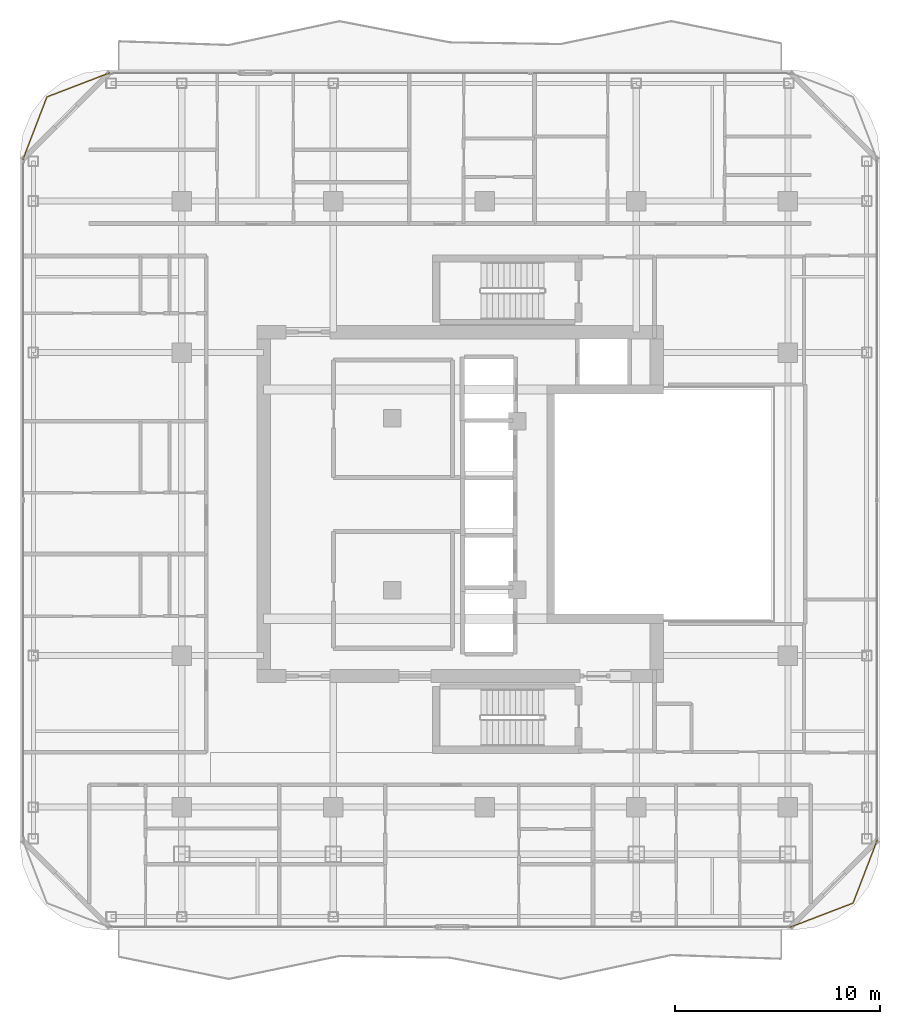
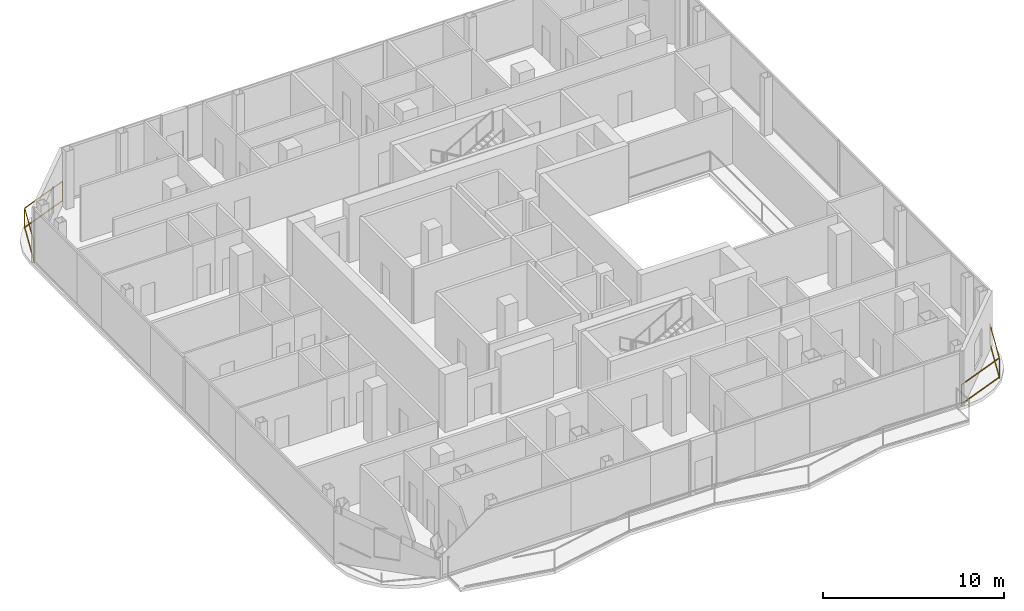
# One storey, part 22 of 23: 2 railings.
"""IFC4 building model written with IfcOpenShell, lengths in metres."""

from ifc_helpers import new_model, si_unit, direction, frame, origin, origin_2d, place, context, subcontext, project, spatial, rectangle, extrude, material, type_object, element, save


model = new_model("IFC4")

# Units and contexts
model_context = context("Model", 3, precision=1e-05, world=origin(), true_north=direction((0.0, 1.0)))
body_context = subcontext(model_context, "Body", "Model", "MODEL_VIEW")
ifc_project = project(units=[si_unit("LENGTHUNIT", "METRE"), si_unit("AREAUNIT", "SQUARE_METRE"), si_unit("VOLUMEUNIT", "CUBIC_METRE"), si_unit("PLANEANGLEUNIT", "RADIAN"), si_unit("MASSUNIT", "GRAM", prefix="KILO")], contexts=[model_context])

# Site, building, storey
site_placement = place(None, origin())
site = spatial("IfcSite", under=ifc_project, at=site_placement, CompositionType="ELEMENT")
building_placement = place(site_placement, origin())
building = spatial("IfcBuilding", under=site, at=building_placement, Name="Khorvyn Point Tower", CompositionType="ELEMENT")
storey_placement = place(building_placement, frame((0.0, 0.0, 297.60009765625)))
storey = spatial("IfcBuildingStorey", under=building, at=storey_placement, Name="L73", CompositionType="ELEMENT", Elevation=297.60009765625)

# Railings
ifc_material = material(Name="Anodised aluminium 6063-T6 and laminated safety glass", Category="aluminium")
railing_type = type_object("IfcRailingType", Name="Laminated Glass and Aluminium Balcony Guardrail 1400", PredefinedType="BALUSTRADE", material=ifc_material)
railing_1_placement = place(storey_placement, frame((-18.28662109375, 21.074462890625, 0.0)))
element("IfcRailing", 1, at=railing_1_placement, inside=storey, type_object=railing_type, Name="L73 Rounded Corner Edge Guardrail NW", PredefinedType="BALUSTRADE", context=body_context, shape_type="SweptSolid", body=[
    extrude(rectangle(XDim=0.048095703125, YDim=0.048095703125, at=origin_2d()), frame((0.0, 0.0, 1.3759765625), z_axis=(-0.93357103624, -0.358392411044, 0.0), x_axis=(0.358392411044, -0.93357103624, 0.0)), (0.0, 0.0, 1.0), 3.31884765625),
    extrude(rectangle(XDim=0.048095703125, YDim=0.048095703125, at=origin_2d()), frame((0.0, 0.0, 0.080078125), z_axis=(-0.93357103624, -0.358392411044, 0.0), x_axis=(0.358392411044, -0.93357103624, 0.0)), (0.0, 0.0, 1.0), 3.31884765625),
    extrude(rectangle(XDim=0.048095703125, YDim=0.048095703125, at=origin_2d()), frame((-3.098388671875, -1.189453125, 1.3759765625), z_axis=(-0.358392411044, -0.93357103624, 0.0), x_axis=(0.93357103624, -0.358392411044, 0.0)), (0.0, 0.0, 1.0), 3.31884765625),
    extrude(rectangle(XDim=0.048095703125, YDim=0.048095703125, at=origin_2d()), frame((-3.098388671875, -1.189453125, 0.080078125), z_axis=(-0.358392411044, -0.93357103624, 0.0), x_axis=(0.93357103624, -0.358392411044, 0.0)), (0.0, 0.0, 1.0), 3.31884765625),
    extrude(rectangle(XDim=0.0419921875, YDim=0.0419921875, at=origin_2d()), origin(), (0.0, 0.0, 1.0), 1.351806640625),
    extrude(rectangle(XDim=0.0419921875, YDim=0.0419921875, at=origin_2d()), frame((-3.098388671875, -1.189453125, 0.0)), (0.0, 0.0, 1.0), 1.351806640625),
    extrude(rectangle(XDim=0.0419921875, YDim=0.0419921875, at=origin_2d()), frame((-4.287841796875, -4.287841796875, 0.0)), (0.0, 0.0, 1.0), 1.351806640625),
])
railing_2_placement = place(storey_placement, frame((14.886474609375, -20.67431640625, 0.0)))
element("IfcRailing", 2, at=railing_2_placement, inside=storey, type_object=railing_type, Name="L73 Rounded Corner Edge Guardrail SE", PredefinedType="BALUSTRADE", context=body_context, shape_type="SweptSolid", body=[
    extrude(rectangle(XDim=0.048095703125, YDim=0.048095703125, at=origin_2d()), frame((0.0, 0.0, 1.3759765625), z_axis=(0.933605091831, 0.358303687544, 0.0), x_axis=(-0.358303687544, 0.933605091831, 0.0)), (0.0, 0.0, 1.0), 3.319091796875),
    extrude(rectangle(XDim=0.048095703125, YDim=0.048095703125, at=origin_2d()), frame((0.0, 0.0, 0.080078125), z_axis=(0.933605091831, 0.358303687544, 0.0), x_axis=(-0.358303687544, 0.933605091831, 0.0)), (0.0, 0.0, 1.0), 3.319091796875),
    extrude(rectangle(XDim=0.048095703125, YDim=0.048095703125, at=origin_2d()), frame((3.0986328125, 1.189208984375, 1.3759765625), z_axis=(0.358303687544, 0.933605091831, 0.0), x_axis=(-0.933605091831, 0.358303687544, 0.0)), (0.0, 0.0, 1.0), 3.319091796875),
    extrude(rectangle(XDim=0.048095703125, YDim=0.048095703125, at=origin_2d()), frame((3.0986328125, 1.189208984375, 0.080078125), z_axis=(0.358303687544, 0.933605091831, 0.0), x_axis=(-0.933605091831, 0.358303687544, 0.0)), (0.0, 0.0, 1.0), 3.319091796875),
    extrude(rectangle(XDim=0.0419921875, YDim=0.0419921875, at=origin_2d()), origin(), (0.0, 0.0, 1.0), 1.351806640625),
    extrude(rectangle(XDim=0.0419921875, YDim=0.0419921875, at=origin_2d()), frame((3.0986328125, 1.189208984375, 0.0)), (0.0, 0.0, 1.0), 1.351806640625),
    extrude(rectangle(XDim=0.0419921875, YDim=0.0419921875, at=origin_2d()), frame((4.287841796875, 4.287841796875, 0.0)), (0.0, 0.0, 1.0), 1.351806640625),
])

save(model, "model.ifc")
